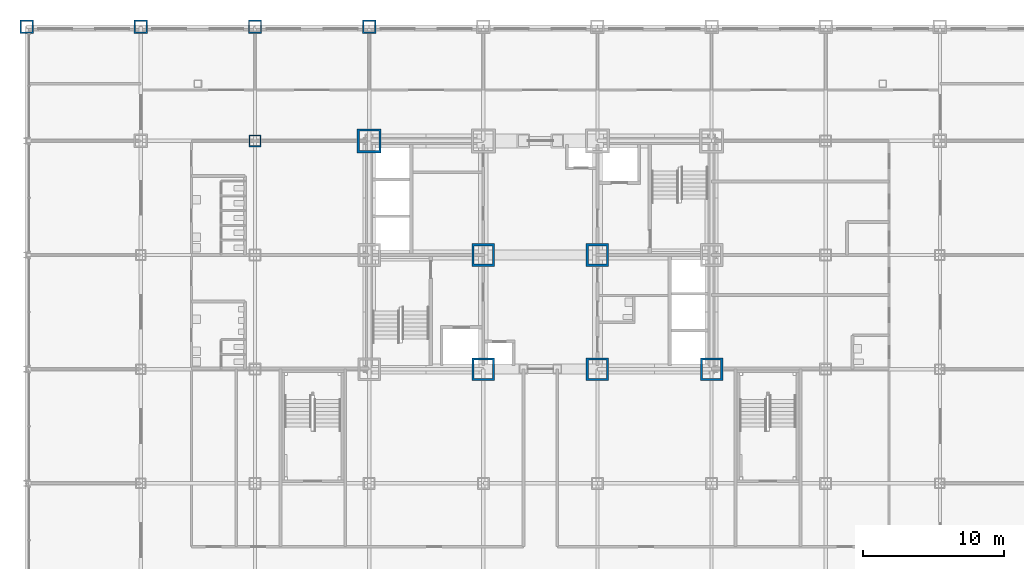
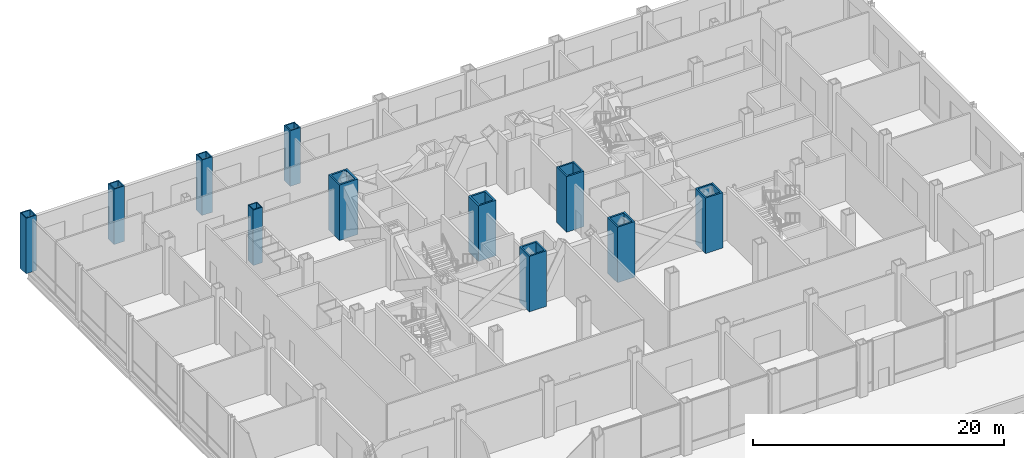
# One storey, part 6 of 29: 11 columns.
"""IFC4 building model written with IfcOpenShell, lengths in metres."""

from ifc_helpers import new_model, si_unit, direction, frame, origin, origin_2d, place, context, subcontext, project, spatial, hollow_rectangle, extrude, material, material_profile, profile_set, type_object, element, save


model = new_model("IFC4")

# Units and contexts
model_context = context("Model", 3, precision=1e-05, world=origin(), true_north=direction((0.0, 1.0)))
body_context = subcontext(model_context, "Body", "Model", "MODEL_VIEW")
ifc_project = project(units=[si_unit("LENGTHUNIT", "METRE"), si_unit("AREAUNIT", "SQUARE_METRE"), si_unit("VOLUMEUNIT", "CUBIC_METRE"), si_unit("PLANEANGLEUNIT", "RADIAN"), si_unit("MASSUNIT", "GRAM", prefix="KILO")], contexts=[model_context])

# Site, building, storey
site_placement = place(None, origin())
site = spatial("IfcSite", under=ifc_project, at=site_placement, CompositionType="ELEMENT")
building_placement = place(site_placement, origin())
building = spatial("IfcBuilding", under=site, at=building_placement, Name="Kopane Lantern Tower", CompositionType="ELEMENT")
storey_placement = place(building_placement, frame((0.0, 0.0, 11.39990234375)))
storey = spatial("IfcBuildingStorey", under=building, at=storey_placement, Name="L02", CompositionType="ELEMENT", Elevation=11.39990234375)

# Columns
ifc_material_1 = material(Name="Steel S355JR", Category="steel")
ifc_material_profile_1 = material_profile(ifc_material_1, hollow_rectangle(XDim=1.60009765625, YDim=1.60009765625, WallThickness=0.14990234375, at=origin_2d()), Name="BOX 1600x1600x150")
ifc_profile_set_1 = profile_set([ifc_material_profile_1], Name="Steel S355JR")
column_type_1 = type_object("IfcColumnType", Name="COLUMN BOX 1600x1600x150", PredefinedType="COLUMN", material=ifc_profile_set_1)
for number, where, z_axis, x_axis, name in (
    (1, (24.300048828125, 24.300048828125, 0.0), (0.0, 0.0, 1.0), (1.0, 0.0, 0.0), "Column 5/E L02"),
    (2, (24.300048828125, 32.39990234375, 0.0), (0.0, 0.0, 1.0), (1.0, 0.0, 0.0), "Column 5/F L02"),
    (3, (32.39990234375, 24.300048828125, 0.0), (0.0, 0.0, 1.0), (1.0, 0.0, 0.0), "Column 6/E L02"),
    (4, (32.39990234375, 32.39990234375, 0.0), (0.0, 0.0, 1.0), (1.0, 0.0, 0.0), "Column 6/F L02"),
    (5, (40.5, 24.300048828125, 0.0), (0.0, 0.0, 1.0), (1.0, 0.0, 0.0), "Column 7/E L02"),
):
    element("IfcColumn", number, at=place(storey_placement, frame(where, z_axis=z_axis, x_axis=x_axis)), inside=storey, type_object=column_type_1, Name=name, PredefinedType="COLUMN", context=body_context, shape_type="SweptSolid", body=[
        extrude(hollow_rectangle(XDim=1.60009765625, YDim=1.60009765625, WallThickness=0.14990234375, at=origin_2d()), origin(), (0.0, 0.0, 1.0), 5.400146484375),
    ])
ifc_material_2 = material(Name="Steel S355JR", Category="steel")
ifc_material_profile_2 = material_profile(ifc_material_2, hollow_rectangle(XDim=1.699951171875, YDim=1.699951171875, WallThickness=0.159912109375, at=origin_2d()), Name="BOX 1700x1700x160")
ifc_profile_set_2 = profile_set([ifc_material_profile_2], Name="Steel S355JR")
column_type_2 = type_object("IfcColumnType", Name="COLUMN BOX 1700x1700x160", PredefinedType="COLUMN", material=ifc_profile_set_2)
column_1_placement = place(storey_placement, frame((16.199951171875, 40.5, 0.0), z_axis=(0.0, 0.0, 1.0), x_axis=(1.0, 0.0, 0.0)))
element("IfcColumn", 6, at=column_1_placement, inside=storey, type_object=column_type_2, Name="Column 4/G L02", PredefinedType="COLUMN", context=body_context, shape_type="SweptSolid", body=[
    extrude(hollow_rectangle(XDim=1.699951171875, YDim=1.699951171875, WallThickness=0.159912109375, at=origin_2d()), origin(), (0.0, 0.0, 1.0), 5.400146484375),
])
ifc_material_3 = material(Name="Steel S355JR", Category="steel")
ifc_material_profile_3 = material_profile(ifc_material_3, hollow_rectangle(XDim=0.85009765625, YDim=0.85009765625, WallThickness=0.0849609375, at=origin_2d()), Name="BOX 850x850x85")
ifc_profile_set_3 = profile_set([ifc_material_profile_3], Name="Steel S355JR")
column_type_3 = type_object("IfcColumnType", Name="COLUMN BOX 850x850x85", PredefinedType="COLUMN", material=ifc_profile_set_3)
column_2_placement = place(storey_placement, frame((8.10009765625, 40.5, 0.0), z_axis=(0.0, 0.0, 1.0), x_axis=(1.0, 0.0, 0.0)))
element("IfcColumn", 7, at=column_2_placement, inside=storey, type_object=column_type_3, Name="Column 3/G L02", PredefinedType="COLUMN", context=body_context, shape_type="SweptSolid", body=[
    extrude(hollow_rectangle(XDim=0.85009765625, YDim=0.85009765625, WallThickness=0.0849609375, at=origin_2d()), origin(), (0.0, 0.0, 1.0), 5.400146484375),
])
ifc_material_4 = material(Name="Steel S355JR", Category="steel")
ifc_material_profile_4 = material_profile(ifc_material_4, hollow_rectangle(XDim=0.949951171875, YDim=0.949951171875, WallThickness=0.10009765625, at=origin_2d()), Name="BOX 950x950x100")
ifc_profile_set_4 = profile_set([ifc_material_profile_4], Name="Steel S355JR")
column_type_4 = type_object("IfcColumnType", Name="COLUMN BOX 950x950x100", PredefinedType="COLUMN", material=ifc_profile_set_4)
for number, where, z_axis, x_axis, name in (
    (8, (-8.10009765625, 48.60009765625, 0.0), (0.0, 0.0, 1.0), (1.0, 0.0, 0.0), "Column 1/H L02"),
    (9, (0.0, 48.60009765625, 0.0), (0.0, 0.0, 1.0), (1.0, 0.0, 0.0), "Column 2/H L02"),
    (10, (8.10009765625, 48.60009765625, 0.0), (0.0, 0.0, 1.0), (1.0, 0.0, 0.0), "Column 3/H L02"),
    (11, (16.199951171875, 48.60009765625, 0.0), (0.0, 0.0, 1.0), (1.0, 0.0, 0.0), "Column 4/H L02"),
):
    element("IfcColumn", number, at=place(storey_placement, frame(where, z_axis=z_axis, x_axis=x_axis)), inside=storey, type_object=column_type_4, Name=name, PredefinedType="COLUMN", context=body_context, shape_type="SweptSolid", body=[
        extrude(hollow_rectangle(XDim=0.949951171875, YDim=0.949951171875, WallThickness=0.10009765625, at=origin_2d()), origin(), (0.0, 0.0, 1.0), 5.400146484375),
    ])

save(model, "model.ifc")
